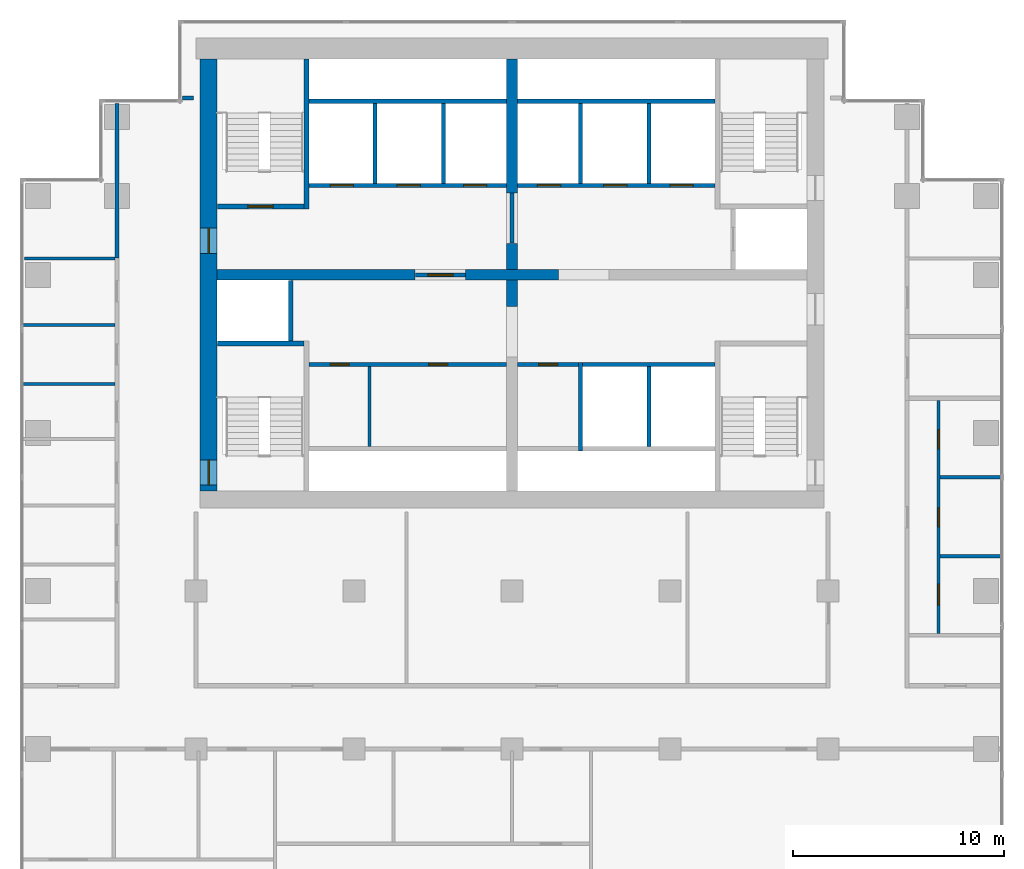
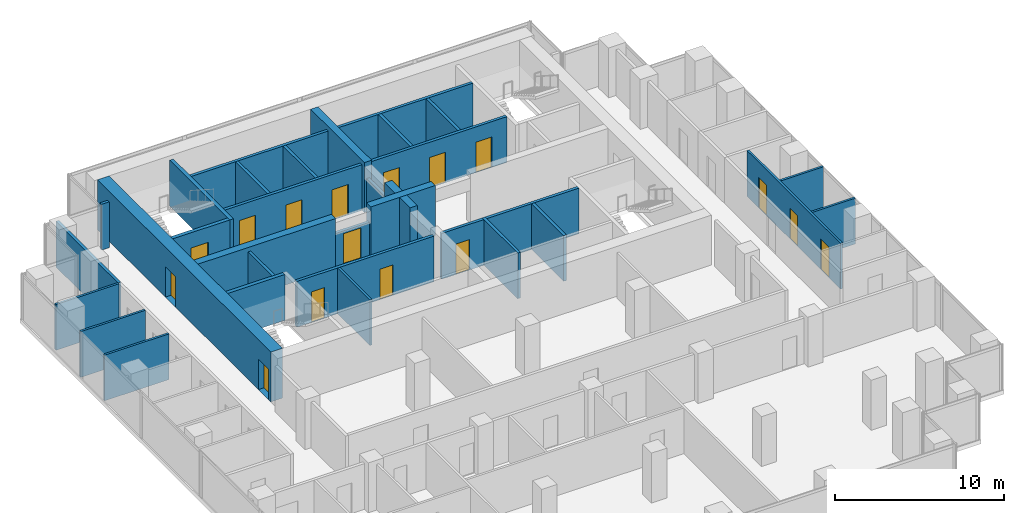
# One storey, part 8 of 10: 34 walls, 16 doors, 16 openings.
"""IFC4 building model written with IfcOpenShell, lengths in metres."""

from ifc_helpers import new_model, si_unit, direction, frame, frame_2d, origin, place, context, subcontext, project, spatial, rectangle, extrude, material, layer, layer_set, type_object, element, fill, save


model = new_model("IFC4")

# Units and contexts
model_context = context("Model", 3, precision=1e-05, world=origin(), true_north=direction((0.0, 1.0)))
body_context = subcontext(model_context, "Body", "Model", "MODEL_VIEW")
ifc_project = project(units=[si_unit("LENGTHUNIT", "METRE"), si_unit("AREAUNIT", "SQUARE_METRE"), si_unit("VOLUMEUNIT", "CUBIC_METRE"), si_unit("PLANEANGLEUNIT", "RADIAN"), si_unit("MASSUNIT", "GRAM", prefix="KILO")], contexts=[model_context])

# Site, building, storey
site_placement = place(None, origin())
site = spatial("IfcSite", under=ifc_project, at=site_placement, CompositionType="ELEMENT")
building_placement = place(site_placement, origin())
building = spatial("IfcBuilding", under=site, at=building_placement, Name="Pilkhan Gate Tower", CompositionType="ELEMENT")
storey_placement = place(building_placement, frame((0.0, 0.0, 147.699951171875)))
storey = spatial("IfcBuildingStorey", under=building, at=storey_placement, Name="L37", CompositionType="ELEMENT", Elevation=147.699951171875)

# Wall, openings, doors
ifc_material_1 = material(Name="Concrete C60/75", Category="concrete")
ifc_layer_1 = layer(ifc_material_1, 0.800048828125)
ifc_layer_set_1 = layer_set([ifc_layer_1], Name="Core wall CW800 C60/75")
wall_type_1 = type_object("IfcWallType", Name="Core wall CW800 C60/75", PredefinedType="SHEAR", material=ifc_layer_set_1)
wall_1_placement = place(storey_placement, frame((60.60009765625, 92.75, 0.0), z_axis=(0.0, 0.0, 1.0), x_axis=(0.0, -1.0, 0.0)))
wall_1 = element("IfcWall", 1, at=wall_1_placement, inside=storey, type_object=wall_type_1, Name="Core wall W L37", PredefinedType="SHEAR", context=body_context, shape_type="SweptSolid", body=[
    extrude(rectangle(XDim=20.5, YDim=0.800048828125, at=frame_2d((10.25, 0.0))), origin(), (0.0, 0.0, 1.0), 3.60009765625),
])
opening_1_placement = place(wall_1_placement, frame((19.02490234375, 0.0, 0.0)))
opening_1 = element("IfcOpeningElement", 2, at=opening_1_placement, cuts=wall_1, Name="Opening L37-04", PredefinedType="OPENING", context=body_context, shape_type="SweptSolid", body=[
    extrude(rectangle(XDim=1.199951171875, YDim=2.199951171875, at=frame_2d((0.60009765625, 1.10009765625))), frame((0.0, 0.409912109375, 0.0), z_axis=(0.0, -1.0, 0.0), x_axis=(1.0, 0.0, 0.0)), (0.0, 0.0, 1.0), 0.820068359375),
])
opening_2_placement = place(wall_1_placement, frame((8.02490234375, 0.0, 0.0)))
opening_2 = element("IfcOpeningElement", 3, at=opening_2_placement, cuts=wall_1, Name="Opening L37-13", PredefinedType="OPENING", context=body_context, shape_type="SweptSolid", body=[
    extrude(rectangle(XDim=1.199951171875, YDim=2.199951171875, at=frame_2d((0.60009765625, 1.10009765625))), frame((0.0, 0.409912109375, 0.0), z_axis=(0.0, -1.0, 0.0), x_axis=(1.0, 0.0, 0.0)), (0.0, 0.0, 1.0), 0.820068359375),
])
ifc_material_2 = material(Name="Steel door, 120 minute fire resisting, self-closing", Category="steel")
door_type_1 = type_object("IfcDoorType", Name="Firefighting lobby door D10 1200x2200", OperationType="SINGLE_SWING_LEFT", PredefinedType="DOOR", material=ifc_material_2)
door_1_placement = place(opening_2_placement, origin())
door_1 = element("IfcDoor", 4, at=door_1_placement, inside=storey, type_object=door_type_1, Name="Core door", OperationType="SINGLE_SWING_RIGHT", OverallHeight=2.199951171875, OverallWidth=1.199951171875, PredefinedType="DOOR", context=body_context, shape_type="SweptSolid", body=[
    extrude(rectangle(XDim=1.199951171875, YDim=2.199951171875, at=frame_2d((0.60009765625, 1.10009765625))), frame((0.0, 0.02490234375, 0.0), z_axis=(0.0, -1.0, 0.0), x_axis=(1.0, 0.0, 0.0)), (0.0, 0.0, 1.0), 0.050048828125),
])
fill(opening_2, door_1)
ifc_material_3 = material(Name="Steel door, 120 minute fire resisting, panic bar", Category="steel")
door_type_2 = type_object("IfcDoorType", Name="Stair door D11 1200x2200", OperationType="SINGLE_SWING_LEFT", PredefinedType="DOOR", material=ifc_material_3)
door_2_placement = place(opening_1_placement, origin())
door_2 = element("IfcDoor", 5, at=door_2_placement, inside=storey, type_object=door_type_2, Name="Stair ST2 door", OperationType="SINGLE_SWING_RIGHT", OverallHeight=2.199951171875, OverallWidth=1.199951171875, PredefinedType="DOOR", context=body_context, shape_type="SweptSolid", body=[
    extrude(rectangle(XDim=1.199951171875, YDim=2.199951171875, at=frame_2d((0.60009765625, 1.10009765625))), frame((0.0, 0.02490234375, 0.0), z_axis=(0.0, -1.0, 0.0), x_axis=(1.0, 0.0, 0.0)), (0.0, 0.0, 1.0), 0.050048828125),
])
fill(opening_1, door_2)

# Walls
ifc_material_4 = material(Name="Dense blockwork", Category="masonry")
ifc_layer_2 = layer(ifc_material_4, 0.199951171875)
ifc_layer_set_2 = layer_set([ifc_layer_2], Name="Corridor wall FW200")
wall_type_2 = type_object("IfcWallType", Name="Corridor wall FW200", PredefinedType="PARTITIONING", material=ifc_layer_set_2)
wall_2_placement = place(storey_placement, frame((59.35498046875, 90.89990234375, 0.0), z_axis=(0.0, 0.0, 1.0), x_axis=(1.0, 0.0, 0.0)))
element("IfcWall", 6, at=wall_2_placement, inside=storey, type_object=wall_type_2, Name="Partition L37", PredefinedType="PARTITIONING", context=body_context, shape_type="SweptSolid", body=[
    extrude(rectangle(XDim=0.52490234375, YDim=0.199951171875, at=frame_2d((0.262451171875, 0.0))), origin(), (0.0, 0.0, 1.0), 3.300048828125),
])
wall_3_placement = place(storey_placement, frame((56.25, 83.31005859375, 0.0), z_axis=(0.0, 0.0, 1.0), x_axis=(0.0, 1.0, 0.0)))
element("IfcWall", 7, at=wall_3_placement, inside=storey, type_object=wall_type_2, Name="Partition L37", PredefinedType="PARTITIONING", context=body_context, shape_type="SweptSolid", body=[
    extrude(rectangle(XDim=7.3349609375, YDim=0.199951171875, at=frame_2d((3.66748046875, 0.0))), origin(), (0.0, 0.0, 1.0), 3.300048828125),
])

# Wall, openings, doors
ifc_layer_3 = layer(ifc_material_4, 0.199951171875)
ifc_layer_set_3 = layer_set([ifc_layer_3], Name="Lobby wall LW200")
wall_type_3 = type_object("IfcWallType", Name="Lobby wall LW200", PredefinedType="PARTITIONING", material=ifc_layer_set_3)
wall_4_placement = place(storey_placement, frame((65.375, 78.25, 0.0), z_axis=(0.0, 0.0, 1.0), x_axis=(1.0, 0.0, 0.0)))
wall_4 = element("IfcWall", 8, at=wall_4_placement, inside=storey, type_object=wall_type_3, Name="Partition L37", PredefinedType="PARTITIONING", context=body_context, shape_type="SweptSolid", body=[
    extrude(rectangle(XDim=9.364990234375, YDim=0.199951171875, at=frame_2d((4.6826171875, 0.0))), origin(), (0.0, 0.0, 1.0), 3.300048828125),
])
opening_3_placement = place(wall_4_placement, frame((1.0, 0.0, 0.0)))
opening_3 = element("IfcOpeningElement", 9, at=opening_3_placement, cuts=wall_4, Name="Opening L37-14", PredefinedType="OPENING", context=body_context, shape_type="SweptSolid", body=[
    extrude(rectangle(XDim=0.89990234375, YDim=2.199951171875, at=frame_2d((0.449951171875, 1.10009765625))), frame((0.0, 0.10986328125, 0.0), z_axis=(0.0, -1.0, 0.0), x_axis=(1.0, 0.0, 0.0)), (0.0, 0.0, 1.0), 0.219970703125),
])
opening_4_placement = place(wall_4_placement, frame((5.6650390625, 0.0, 0.0)))
opening_4 = element("IfcOpeningElement", 10, at=opening_4_placement, cuts=wall_4, Name="Opening L37-15", PredefinedType="OPENING", context=body_context, shape_type="SweptSolid", body=[
    extrude(rectangle(XDim=0.89990234375, YDim=2.199951171875, at=frame_2d((0.449951171875, 1.10009765625))), frame((0.0, 0.10986328125, 0.0), z_axis=(0.0, -1.0, 0.0), x_axis=(1.0, 0.0, 0.0)), (0.0, 0.0, 1.0), 0.219970703125),
])
ifc_material_5 = material(Name="Timber flush door, 60 minute fire resisting, self-closing", Category="wood")
door_type_3 = type_object("IfcDoorType", Name="Store door D05 900x2200", OperationType="SINGLE_SWING_LEFT", PredefinedType="DOOR", material=ifc_material_5)
door_3_placement = place(opening_3_placement, origin())
door_3 = element("IfcDoor", 11, at=door_3_placement, inside=storey, type_object=door_type_3, Name="Store door", OperationType="SINGLE_SWING_LEFT", OverallHeight=2.199951171875, OverallWidth=0.89990234375, PredefinedType="DOOR", context=body_context, shape_type="SweptSolid", body=[
    extrude(rectangle(XDim=0.89990234375, YDim=2.199951171875, at=frame_2d((0.449951171875, 1.10009765625))), frame((0.0, 0.02490234375, 0.0), z_axis=(0.0, -1.0, 0.0), x_axis=(1.0, 0.0, 0.0)), (0.0, 0.0, 1.0), 0.050048828125),
])
fill(opening_3, door_3)
door_4_placement = place(opening_4_placement, origin())
door_4 = element("IfcDoor", 12, at=door_4_placement, inside=storey, type_object=door_type_3, Name="Store door", OperationType="SINGLE_SWING_LEFT", OverallHeight=2.199951171875, OverallWidth=0.89990234375, PredefinedType="DOOR", context=body_context, shape_type="SweptSolid", body=[
    extrude(rectangle(XDim=0.89990234375, YDim=2.199951171875, at=frame_2d((0.449951171875, 1.10009765625))), frame((0.0, 0.02490234375, 0.0), z_axis=(0.0, -1.0, 0.0), x_axis=(1.0, 0.0, 0.0)), (0.0, 0.0, 1.0), 0.050048828125),
])
fill(opening_4, door_4)

# Wall, opening, door
wall_5_placement = place(storey_placement, frame((75.260009765625, 78.25, 0.0), z_axis=(0.0, 0.0, 1.0), x_axis=(1.0, 0.0, 0.0)))
wall_5 = element("IfcWall", 13, at=wall_5_placement, inside=storey, type_object=wall_type_3, Name="Partition L37", PredefinedType="PARTITIONING", context=body_context, shape_type="SweptSolid", body=[
    extrude(rectangle(XDim=2.889892578125, YDim=0.199951171875, at=frame_2d((1.44482421875, 0.0))), origin(), (0.0, 0.0, 1.0), 3.300048828125),
])
opening_5_placement = place(wall_5_placement, frame((1.0, 0.0, 0.0)))
opening_5 = element("IfcOpeningElement", 14, at=opening_5_placement, cuts=wall_5, Name="Opening L37-16", PredefinedType="OPENING", context=body_context, shape_type="SweptSolid", body=[
    extrude(rectangle(XDim=0.89990234375, YDim=2.199951171875, at=frame_2d((0.449951171875, 1.10009765625))), frame((0.0, 0.10986328125, 0.0), z_axis=(0.0, -1.0, 0.0), x_axis=(1.0, 0.0, 0.0)), (0.0, 0.0, 1.0), 0.219970703125),
])
door_5_placement = place(opening_5_placement, origin())
door_5 = element("IfcDoor", 15, at=door_5_placement, inside=storey, type_object=door_type_3, Name="Store door", OperationType="SINGLE_SWING_RIGHT", OverallHeight=2.199951171875, OverallWidth=0.89990234375, PredefinedType="DOOR", context=body_context, shape_type="SweptSolid", body=[
    extrude(rectangle(XDim=0.89990234375, YDim=2.199951171875, at=frame_2d((0.449951171875, 1.10009765625))), frame((0.0, 0.02490234375, 0.0), z_axis=(0.0, -1.0, 0.0), x_axis=(1.0, 0.0, 0.0)), (0.0, 0.0, 1.0), 0.050048828125),
])
fill(opening_5, door_5)

wall_6_placement = place(storey_placement, frame((70.409912109375, 82.5, 0.0), z_axis=(0.0, 0.0, 1.0), x_axis=(1.0, 0.0, 0.0)))
wall_6 = element("IfcWall", 16, at=wall_6_placement, inside=storey, type_object=wall_type_3, Name="Partition L37", PredefinedType="PARTITIONING", context=body_context, shape_type="SweptSolid", body=[
    extrude(rectangle(XDim=2.380126953125, YDim=0.199951171875, at=frame_2d((1.18994140625, 0.0))), origin(), (0.0, 0.0, 1.0), 2.400146484375),
])
opening_6_placement = place(wall_6_placement, frame((0.60009765625, 0.0, 0.0)))
opening_6 = element("IfcOpeningElement", 17, at=opening_6_placement, cuts=wall_6, Name="Opening L37-01", PredefinedType="OPENING", context=body_context, shape_type="SweptSolid", body=[
    extrude(rectangle(XDim=1.199951171875, YDim=2.199951171875, at=frame_2d((0.60009765625, 1.10009765625))), frame((0.0, 0.10986328125, 0.0), z_axis=(0.0, -1.0, 0.0), x_axis=(1.0, 0.0, 0.0)), (0.0, 0.0, 1.0), 0.219970703125),
])
door_6_placement = place(opening_6_placement, origin())
door_6 = element("IfcDoor", 18, at=door_6_placement, inside=storey, type_object=door_type_1, Name="Firefighting lobby door", OperationType="SINGLE_SWING_LEFT", OverallHeight=2.199951171875, OverallWidth=1.199951171875, PredefinedType="DOOR", context=body_context, shape_type="SweptSolid", body=[
    extrude(rectangle(XDim=1.199951171875, YDim=2.199951171875, at=frame_2d((0.60009765625, 1.10009765625))), frame((0.0, 0.02490234375, 0.0), z_axis=(0.0, -1.0, 0.0), x_axis=(1.0, 0.0, 0.0)), (0.0, 0.0, 1.0), 0.050048828125),
])
fill(opening_6, door_6)

# Walls
wall_7_placement = place(storey_placement, frame((75.0, 84.010009765625, 0.0), z_axis=(0.0, 0.0, 1.0), x_axis=(0.0, 1.0, 0.0)))
element("IfcWall", 19, at=wall_7_placement, inside=storey, type_object=wall_type_3, Name="Partition L37", PredefinedType="PARTITIONING", context=body_context, shape_type="SweptSolid", body=[
    extrude(rectangle(XDim=2.3798828125, YDim=0.199951171875, at=frame_2d((1.18994140625, 0.0))), origin(), (0.0, 0.0, 1.0), 2.400146484375),
])
ifc_material_6 = material(Name="Blockwork partition, plastered both sides", Category="masonry")
ifc_layer_4 = layer(ifc_material_6, 0.14990234375)
ifc_layer_set_4 = layer_set([ifc_layer_4], Name="Partition PW150")
wall_type_4 = type_object("IfcWallType", Name="Partition PW150", PredefinedType="PARTITIONING", material=ifc_layer_set_4)
for number, where, z_axis, x_axis, name in (
    (20, (95.324951171875, 69.14990234375, 0.0), (0.0, 0.0, 1.0), (1.0, 0.0, 0.0), "Partition L37"),
    (21, (95.324951171875, 72.89990234375, 0.0), (0.0, 0.0, 1.0), (1.0, 0.0, 0.0), "Partition L37"),
):
    element("IfcWall", number, at=place(storey_placement, frame(where, z_axis=z_axis, x_axis=x_axis)), inside=storey, type_object=wall_type_4, Name=name, PredefinedType="PARTITIONING", context=body_context, shape_type="SweptSolid", body=[
        extrude(rectangle(XDim=2.93994140625, YDim=0.14990234375, at=frame_2d((1.469970703125, 0.0))), origin(), (0.0, 0.0, 1.0), 3.300048828125),
    ])
for number, where, z_axis, x_axis, name in (
    (22, (51.735107421875, 77.3291015625, 0.0), (0.0, 0.0, 1.0), (1.0, 0.0, 0.0), "Partition L37"),
    (23, (51.735107421875, 80.12890625, 0.0), (0.0, 0.0, 1.0), (1.0, 0.0, 0.0), "Partition L37"),
):
    element("IfcWall", number, at=place(storey_placement, frame(where, z_axis=z_axis, x_axis=x_axis)), inside=storey, type_object=wall_type_4, Name=name, PredefinedType="PARTITIONING", context=body_context, shape_type="SweptSolid", body=[
        extrude(rectangle(XDim=4.414794921875, YDim=0.14990234375, at=frame_2d((2.20751953125, 0.0))), origin(), (0.0, 0.0, 1.0), 3.300048828125),
    ])
wall_8_placement = place(storey_placement, frame((51.85498046875, 83.280029296875, 0.0), z_axis=(0.0, 0.0, 1.0), x_axis=(1.0, 0.0, 0.0)))
element("IfcWall", 24, at=wall_8_placement, inside=storey, type_object=wall_type_4, Name="Partition L37", PredefinedType="PARTITIONING", context=body_context, shape_type="SweptSolid", body=[
    extrude(rectangle(XDim=4.294921875, YDim=0.14990234375, at=frame_2d((2.1474609375, 0.0))), origin(), (0.0, 0.0, 1.0), 3.300048828125),
])
wall_9_placement = place(storey_placement, frame((68.239990234375, 74.35009765625, 0.0), z_axis=(0.0, 0.0, 1.0), x_axis=(0.0, 1.0, 0.0)))
element("IfcWall", 25, at=wall_9_placement, inside=storey, type_object=wall_type_4, Name="Partition L37", PredefinedType="PARTITIONING", context=body_context, shape_type="SweptSolid", body=[
    extrude(rectangle(XDim=3.7998046875, YDim=0.14990234375, at=frame_2d((1.89990234375, 0.0))), origin(), (0.0, 0.0, 1.0), 3.300048828125),
])

# Wall, openings, doors
wall_10_placement = place(storey_placement, frame((95.25, 65.47509765625, 0.0), z_axis=(0.0, 0.0, 1.0), x_axis=(0.0, 1.0, 0.0)))
wall_10 = element("IfcWall", 26, at=wall_10_placement, inside=storey, type_object=wall_type_4, Name="Partition L37", PredefinedType="PARTITIONING", context=body_context, shape_type="SweptSolid", body=[
    extrude(rectangle(XDim=11.074951171875, YDim=0.14990234375, at=frame_2d((5.53759765625, 0.0))), origin(), (0.0, 0.0, 1.0), 3.300048828125),
])
opening_7_placement = place(wall_10_placement, frame((1.35009765625, 0.0, 0.0)))
opening_7 = element("IfcOpeningElement", 27, at=opening_7_placement, cuts=wall_10, Name="Opening L37-29", PredefinedType="OPENING", context=body_context, shape_type="SweptSolid", body=[
    extrude(rectangle(XDim=1.0, YDim=2.199951171875, at=frame_2d((0.5, 1.10009765625))), frame((0.0, 0.0849609375, 0.0), z_axis=(0.0, -1.0, 0.0), x_axis=(1.0, 0.0, 0.0)), (0.0, 0.0, 1.0), 0.169921875),
])
opening_8_placement = place(wall_10_placement, frame((5.074951171875, 0.0, 0.0)))
opening_8 = element("IfcOpeningElement", 28, at=opening_8_placement, cuts=wall_10, Name="Opening L37-30", PredefinedType="OPENING", context=body_context, shape_type="SweptSolid", body=[
    extrude(rectangle(XDim=0.89990234375, YDim=2.199951171875, at=frame_2d((0.449951171875, 1.10009765625))), frame((0.0, 0.0849609375, 0.0), z_axis=(0.0, -1.0, 0.0), x_axis=(1.0, 0.0, 0.0)), (0.0, 0.0, 1.0), 0.169921875),
])
opening_9_placement = place(wall_10_placement, frame((8.77490234375, 0.0, 0.0)))
opening_9 = element("IfcOpeningElement", 29, at=opening_9_placement, cuts=wall_10, Name="Opening L37-31", PredefinedType="OPENING", context=body_context, shape_type="SweptSolid", body=[
    extrude(rectangle(XDim=0.89990234375, YDim=2.199951171875, at=frame_2d((0.449951171875, 1.10009765625))), frame((0.0, 0.0849609375, 0.0), z_axis=(0.0, -1.0, 0.0), x_axis=(1.0, 0.0, 0.0)), (0.0, 0.0, 1.0), 0.169921875),
])
ifc_material_7 = material(Name="Timber flush door, outward opening, 30 minute fire resisting", Category="wood")
door_type_4 = type_object("IfcDoorType", Name="Accessible toilet door D07 1000x2200", OperationType="SINGLE_SWING_LEFT", PredefinedType="DOOR", material=ifc_material_7)
door_7_placement = place(opening_7_placement, origin())
door_7 = element("IfcDoor", 30, at=door_7_placement, inside=storey, type_object=door_type_4, Name="Accessible toilet door", OperationType="SINGLE_SWING_RIGHT", OverallHeight=2.199951171875, OverallWidth=1.0, PredefinedType="DOOR", context=body_context, shape_type="SweptSolid", body=[
    extrude(rectangle(XDim=1.0, YDim=2.199951171875, at=frame_2d((0.5, 1.10009765625))), frame((0.0, 0.02490234375, 0.0), z_axis=(0.0, -1.0, 0.0), x_axis=(1.0, 0.0, 0.0)), (0.0, 0.0, 1.0), 0.050048828125),
])
fill(opening_7, door_7)
ifc_material_8 = material(Name="Timber flush door, 30 minute fire resisting", Category="wood")
door_type_5 = type_object("IfcDoorType", Name="Toilet door D06 900x2200", OperationType="SINGLE_SWING_LEFT", PredefinedType="DOOR", material=ifc_material_8)
door_8_placement = place(opening_8_placement, origin())
door_8 = element("IfcDoor", 31, at=door_8_placement, inside=storey, type_object=door_type_5, Name="Toilet door", OperationType="SINGLE_SWING_RIGHT", OverallHeight=2.199951171875, OverallWidth=0.89990234375, PredefinedType="DOOR", context=body_context, shape_type="SweptSolid", body=[
    extrude(rectangle(XDim=0.89990234375, YDim=2.199951171875, at=frame_2d((0.449951171875, 1.10009765625))), frame((0.0, 0.02490234375, 0.0), z_axis=(0.0, -1.0, 0.0), x_axis=(1.0, 0.0, 0.0)), (0.0, 0.0, 1.0), 0.050048828125),
])
fill(opening_8, door_8)
door_9_placement = place(opening_9_placement, origin())
door_9 = element("IfcDoor", 32, at=door_9_placement, inside=storey, type_object=door_type_5, Name="Toilet door", OperationType="SINGLE_SWING_LEFT", OverallHeight=2.199951171875, OverallWidth=0.89990234375, PredefinedType="DOOR", context=body_context, shape_type="SweptSolid", body=[
    extrude(rectangle(XDim=0.89990234375, YDim=2.199951171875, at=frame_2d((0.449951171875, 1.10009765625))), frame((0.0, 0.02490234375, 0.0), z_axis=(0.0, -1.0, 0.0), x_axis=(1.0, 0.0, 0.0)), (0.0, 0.0, 1.0), 0.050048828125),
])
fill(opening_9, door_9)

# Wall
ifc_material_9 = material(Name="Reinforced blockwork shaft wall, 120 minute fire resisting", Category="masonry")
ifc_layer_5 = layer(ifc_material_9, 0.199951171875)
ifc_layer_set_5 = layer_set([ifc_layer_5], Name="Shaft wall SW200")
wall_type_5 = type_object("IfcWallType", Name="Shaft wall SW200", PredefinedType="PARTITIONING", material=ifc_layer_set_5)
wall_11_placement = place(storey_placement, frame((78.35009765625, 78.25, 0.0), z_axis=(0.0, 0.0, 1.0), x_axis=(1.0, 0.0, 0.0)))
element("IfcWall", 33, at=wall_11_placement, inside=storey, type_object=wall_type_5, Name="Partition L37", PredefinedType="PARTITIONING", context=body_context, shape_type="SweptSolid", body=[
    extrude(rectangle(XDim=6.27490234375, YDim=0.199951171875, at=frame_2d((3.137451171875, 0.0))), origin(), (0.0, 0.0, 1.0), 3.300048828125),
])

# Wall, openings, doors
wall_12_placement = place(storey_placement, frame((65.375, 86.75, 0.0), z_axis=(0.0, 0.0, 1.0), x_axis=(1.0, 0.0, 0.0)))
wall_12 = element("IfcWall", 34, at=wall_12_placement, inside=storey, type_object=wall_type_5, Name="Partition L37", PredefinedType="PARTITIONING", context=body_context, shape_type="SweptSolid", body=[
    extrude(rectangle(XDim=9.364990234375, YDim=0.199951171875, at=frame_2d((4.6826171875, 0.0))), origin(), (0.0, 0.0, 1.0), 3.300048828125),
])
opening_10_placement = place(wall_12_placement, frame((1.0, 0.0, 0.0)))
opening_10 = element("IfcOpeningElement", 35, at=opening_10_placement, cuts=wall_12, Name="Opening LD", PredefinedType="OPENING", context=body_context, shape_type="SweptSolid", body=[
    extrude(rectangle(XDim=1.10009765625, YDim=2.199951171875, at=frame_2d((0.550048828125, 1.10009765625))), frame((0.0, 0.10986328125, 0.0), z_axis=(0.0, -1.0, 0.0), x_axis=(1.0, 0.0, 0.0)), (0.0, 0.0, 1.0), 0.219970703125),
])
opening_11_placement = place(wall_12_placement, frame((4.175048828125, 0.0, 0.0)))
opening_11 = element("IfcOpeningElement", 36, at=opening_11_placement, cuts=wall_12, Name="Opening LD", PredefinedType="OPENING", context=body_context, shape_type="SweptSolid", body=[
    extrude(rectangle(XDim=1.10009765625, YDim=2.199951171875, at=frame_2d((0.550048828125, 1.10009765625))), frame((0.0, 0.10986328125, 0.0), z_axis=(0.0, -1.0, 0.0), x_axis=(1.0, 0.0, 0.0)), (0.0, 0.0, 1.0), 0.219970703125),
])
opening_12_placement = place(wall_12_placement, frame((7.324951171875, 0.0, 0.0)))
opening_12 = element("IfcOpeningElement", 37, at=opening_12_placement, cuts=wall_12, Name="Opening LD", PredefinedType="OPENING", context=body_context, shape_type="SweptSolid", body=[
    extrude(rectangle(XDim=1.10009765625, YDim=2.199951171875, at=frame_2d((0.550048828125, 1.10009765625))), frame((0.0, 0.10986328125, 0.0), z_axis=(0.0, -1.0, 0.0), x_axis=(1.0, 0.0, 0.0)), (0.0, 0.0, 1.0), 0.219970703125),
])
ifc_material_10 = material(Name="Stainless steel centre-opening landing door, 120 minute fire resisting", Category="steel")
door_type_6 = type_object("IfcDoorType", Name="Lift landing door LD 1100x2200", OperationType="DOUBLE_DOOR_SLIDING", PredefinedType="DOOR", material=ifc_material_10)
door_10_placement = place(opening_10_placement, origin())
door_10 = element("IfcDoor", 38, at=door_10_placement, inside=storey, type_object=door_type_6, Name="Landing door FF1", OperationType="DOUBLE_DOOR_SLIDING", OverallHeight=2.199951171875, OverallWidth=1.10009765625, PredefinedType="DOOR", context=body_context, shape_type="SweptSolid", body=[
    extrude(rectangle(XDim=1.10009765625, YDim=2.199951171875, at=frame_2d((0.550048828125, 1.10009765625))), frame((0.0, 0.02490234375, 0.0), z_axis=(0.0, -1.0, 0.0), x_axis=(1.0, 0.0, 0.0)), (0.0, 0.0, 1.0), 0.050048828125),
])
fill(opening_10, door_10)
door_11_placement = place(opening_11_placement, origin())
door_11 = element("IfcDoor", 39, at=door_11_placement, inside=storey, type_object=door_type_6, Name="Landing door FF2", OperationType="DOUBLE_DOOR_SLIDING", OverallHeight=2.199951171875, OverallWidth=1.10009765625, PredefinedType="DOOR", context=body_context, shape_type="SweptSolid", body=[
    extrude(rectangle(XDim=1.10009765625, YDim=2.199951171875, at=frame_2d((0.550048828125, 1.10009765625))), frame((0.0, 0.02490234375, 0.0), z_axis=(0.0, -1.0, 0.0), x_axis=(1.0, 0.0, 0.0)), (0.0, 0.0, 1.0), 0.050048828125),
])
fill(opening_11, door_11)
door_12_placement = place(opening_12_placement, origin())
door_12 = element("IfcDoor", 40, at=door_12_placement, inside=storey, type_object=door_type_6, Name="Landing door SV1", OperationType="DOUBLE_DOOR_SLIDING", OverallHeight=2.199951171875, OverallWidth=1.10009765625, PredefinedType="DOOR", context=body_context, shape_type="SweptSolid", body=[
    extrude(rectangle(XDim=1.10009765625, YDim=2.199951171875, at=frame_2d((0.550048828125, 1.10009765625))), frame((0.0, 0.02490234375, 0.0), z_axis=(0.0, -1.0, 0.0), x_axis=(1.0, 0.0, 0.0)), (0.0, 0.0, 1.0), 0.050048828125),
])
fill(opening_12, door_12)

wall_13_placement = place(storey_placement, frame((75.260009765625, 86.75, 0.0), z_axis=(0.0, 0.0, 1.0), x_axis=(1.0, 0.0, 0.0)))
wall_13 = element("IfcWall", 41, at=wall_13_placement, inside=storey, type_object=wall_type_5, Name="Partition L37", PredefinedType="PARTITIONING", context=body_context, shape_type="SweptSolid", body=[
    extrude(rectangle(XDim=9.364990234375, YDim=0.199951171875, at=frame_2d((4.6826171875, 0.0))), origin(), (0.0, 0.0, 1.0), 3.300048828125),
])
opening_13_placement = place(wall_13_placement, frame((0.949951171875, 0.0, 0.0)))
opening_13 = element("IfcOpeningElement", 42, at=opening_13_placement, cuts=wall_13, Name="Opening LD", PredefinedType="OPENING", context=body_context, shape_type="SweptSolid", body=[
    extrude(rectangle(XDim=1.10009765625, YDim=2.199951171875, at=frame_2d((0.550048828125, 1.10009765625))), frame((0.0, 0.10986328125, 0.0), z_axis=(0.0, -1.0, 0.0), x_axis=(1.0, 0.0, 0.0)), (0.0, 0.0, 1.0), 0.219970703125),
])
opening_14_placement = place(wall_13_placement, frame((4.090087890625, 0.0, 0.0)))
opening_14 = element("IfcOpeningElement", 43, at=opening_14_placement, cuts=wall_13, Name="Opening LD", PredefinedType="OPENING", context=body_context, shape_type="SweptSolid", body=[
    extrude(rectangle(XDim=1.10009765625, YDim=2.199951171875, at=frame_2d((0.550048828125, 1.10009765625))), frame((0.0, 0.10986328125, 0.0), z_axis=(0.0, -1.0, 0.0), x_axis=(1.0, 0.0, 0.0)), (0.0, 0.0, 1.0), 0.219970703125),
])
opening_15_placement = place(wall_13_placement, frame((7.239990234375, 0.0, 0.0)))
opening_15 = element("IfcOpeningElement", 44, at=opening_15_placement, cuts=wall_13, Name="Opening LD", PredefinedType="OPENING", context=body_context, shape_type="SweptSolid", body=[
    extrude(rectangle(XDim=1.10009765625, YDim=2.199951171875, at=frame_2d((0.550048828125, 1.10009765625))), frame((0.0, 0.10986328125, 0.0), z_axis=(0.0, -1.0, 0.0), x_axis=(1.0, 0.0, 0.0)), (0.0, 0.0, 1.0), 0.219970703125),
])
door_13_placement = place(opening_13_placement, origin())
door_13 = element("IfcDoor", 45, at=door_13_placement, inside=storey, type_object=door_type_6, Name="Landing door HR1", OperationType="DOUBLE_DOOR_SLIDING", OverallHeight=2.199951171875, OverallWidth=1.10009765625, PredefinedType="DOOR", context=body_context, shape_type="SweptSolid", body=[
    extrude(rectangle(XDim=1.10009765625, YDim=2.199951171875, at=frame_2d((0.550048828125, 1.10009765625))), frame((0.0, 0.02490234375, 0.0), z_axis=(0.0, -1.0, 0.0), x_axis=(1.0, 0.0, 0.0)), (0.0, 0.0, 1.0), 0.050048828125),
])
fill(opening_13, door_13)
door_14_placement = place(opening_14_placement, origin())
door_14 = element("IfcDoor", 46, at=door_14_placement, inside=storey, type_object=door_type_6, Name="Landing door HR2", OperationType="DOUBLE_DOOR_SLIDING", OverallHeight=2.199951171875, OverallWidth=1.10009765625, PredefinedType="DOOR", context=body_context, shape_type="SweptSolid", body=[
    extrude(rectangle(XDim=1.10009765625, YDim=2.199951171875, at=frame_2d((0.550048828125, 1.10009765625))), frame((0.0, 0.02490234375, 0.0), z_axis=(0.0, -1.0, 0.0), x_axis=(1.0, 0.0, 0.0)), (0.0, 0.0, 1.0), 0.050048828125),
])
fill(opening_14, door_14)
door_15_placement = place(opening_15_placement, origin())
door_15 = element("IfcDoor", 47, at=door_15_placement, inside=storey, type_object=door_type_6, Name="Landing door HR3", OperationType="DOUBLE_DOOR_SLIDING", OverallHeight=2.199951171875, OverallWidth=1.10009765625, PredefinedType="DOOR", context=body_context, shape_type="SweptSolid", body=[
    extrude(rectangle(XDim=1.10009765625, YDim=2.199951171875, at=frame_2d((0.550048828125, 1.10009765625))), frame((0.0, 0.02490234375, 0.0), z_axis=(0.0, -1.0, 0.0), x_axis=(1.0, 0.0, 0.0)), (0.0, 0.0, 1.0), 0.050048828125),
])
fill(opening_15, door_15)

# Walls
for number, where, z_axis, x_axis, name in (
    (48, (65.375, 90.75, 0.0), (0.0, 0.0, 1.0), (1.0, 0.0, 0.0), "Partition L37"),
    (49, (75.260009765625, 90.75, 0.0), (0.0, 0.0, 1.0), (1.0, 0.0, 0.0), "Partition L37"),
):
    element("IfcWall", number, at=place(storey_placement, frame(where, z_axis=z_axis, x_axis=x_axis)), inside=storey, type_object=wall_type_5, Name=name, PredefinedType="PARTITIONING", context=body_context, shape_type="SweptSolid", body=[
        extrude(rectangle(XDim=9.364990234375, YDim=0.199951171875, at=frame_2d((4.6826171875, 0.0))), origin(), (0.0, 0.0, 1.0), 3.300048828125),
    ])
wall_14_placement = place(storey_placement, frame((64.5, 79.375, 0.0), z_axis=(0.0, 0.0, 1.0), x_axis=(0.0, 1.0, 0.0)))
element("IfcWall", 50, at=wall_14_placement, inside=storey, type_object=wall_type_5, Name="Partition L37", PredefinedType="PARTITIONING", context=body_context, shape_type="SweptSolid", body=[
    extrude(rectangle(XDim=2.864990234375, YDim=0.199951171875, at=frame_2d((1.4326171875, 0.0))), origin(), (0.0, 0.0, 1.0), 3.300048828125),
])
for number, where, z_axis, x_axis, name in (
    (51, (68.5, 86.85009765625, 0.0), (0.0, 0.0, 1.0), (0.0, 1.0, 0.0), "Partition L37"),
    (52, (71.75, 86.85009765625, 0.0), (0.0, 0.0, 1.0), (0.0, 1.0, 0.0), "Partition L37"),
):
    element("IfcWall", number, at=place(storey_placement, frame(where, z_axis=z_axis, x_axis=x_axis)), inside=storey, type_object=wall_type_5, Name=name, PredefinedType="PARTITIONING", context=body_context, shape_type="SweptSolid", body=[
        extrude(rectangle(XDim=3.7998046875, YDim=0.199951171875, at=frame_2d((1.89990234375, 0.0))), origin(), (0.0, 0.0, 1.0), 3.300048828125),
    ])
wall_15_placement = place(storey_placement, frame((78.25, 74.14990234375, 0.0), z_axis=(0.0, 0.0, 1.0), x_axis=(0.0, 1.0, 0.0)))
element("IfcWall", 53, at=wall_15_placement, inside=storey, type_object=wall_type_5, Name="Partition L37", PredefinedType="PARTITIONING", context=body_context, shape_type="SweptSolid", body=[
    extrude(rectangle(XDim=4.2001953125, YDim=0.199951171875, at=frame_2d((2.10009765625, 0.0))), origin(), (0.0, 0.0, 1.0), 3.300048828125),
])
for number, where, z_axis, x_axis, name in (
    (54, (78.25, 86.85009765625, 0.0), (0.0, 0.0, 1.0), (0.0, 1.0, 0.0), "Partition L37"),
    (55, (81.5, 74.35009765625, 0.0), (0.0, 0.0, 1.0), (0.0, 1.0, 0.0), "Partition L37"),
    (56, (81.5, 86.85009765625, 0.0), (0.0, 0.0, 1.0), (0.0, 1.0, 0.0), "Partition L37"),
):
    element("IfcWall", number, at=place(storey_placement, frame(where, z_axis=z_axis, x_axis=x_axis)), inside=storey, type_object=wall_type_5, Name=name, PredefinedType="PARTITIONING", context=body_context, shape_type="SweptSolid", body=[
        extrude(rectangle(XDim=3.7998046875, YDim=0.199951171875, at=frame_2d((1.89990234375, 0.0))), origin(), (0.0, 0.0, 1.0), 3.300048828125),
    ])
ifc_layer_6 = layer(ifc_material_1, 0.5)
ifc_layer_set_6 = layer_set([ifc_layer_6], Name="Spine wall SW500 C60/75")
wall_type_6 = type_object("IfcWallType", Name="Spine wall SW500 C60/75", PredefinedType="SHEAR", material=ifc_layer_set_6)
wall_16_placement = place(storey_placement, frame((61.0, 82.5, 0.0), z_axis=(0.0, 0.0, 1.0), x_axis=(1.0, 0.0, 0.0)))
element("IfcWall", 57, at=wall_16_placement, inside=storey, type_object=wall_type_6, Name="Spine wall SP-EW1 L37", PredefinedType="SHEAR", context=body_context, shape_type="SweptSolid", body=[
    extrude(rectangle(XDim=9.39990234375, YDim=0.5, at=frame_2d((4.699951171875, 0.0))), origin(), (0.0, 0.0, 1.0), 3.60009765625),
])
wall_17_placement = place(storey_placement, frame((72.800048828125, 82.5, 0.0), z_axis=(0.0, 0.0, 1.0), x_axis=(1.0, 0.0, 0.0)))
element("IfcWall", 58, at=wall_17_placement, inside=storey, type_object=wall_type_6, Name="Spine wall SP-EW2 L37", PredefinedType="SHEAR", context=body_context, shape_type="SweptSolid", body=[
    extrude(rectangle(XDim=4.39990234375, YDim=0.5, at=frame_2d((2.199951171875, 0.0))), origin(), (0.0, 0.0, 1.0), 3.60009765625),
])
for number, where, z_axis, x_axis, name in (
    (59, (75.0, 81.0, 0.0), (0.0, 0.0, 1.0), (0.0, 1.0, 0.0), "Spine wall SP-NS-S2 L37"),
    (60, (75.0, 82.75, 0.0), (0.0, 0.0, 1.0), (0.0, 1.0, 0.0), "Spine wall SP-NS-N1 L37"),
):
    element("IfcWall", number, at=place(storey_placement, frame(where, z_axis=z_axis, x_axis=x_axis)), inside=storey, type_object=wall_type_6, Name=name, PredefinedType="SHEAR", context=body_context, shape_type="SweptSolid", body=[
        extrude(rectangle(XDim=1.25, YDim=0.5, at=frame_2d((0.625, 0.0))), origin(), (0.0, 0.0, 1.0), 3.60009765625),
    ])
wall_18_placement = place(storey_placement, frame((75.0, 86.39990234375, 0.0), z_axis=(0.0, 0.0, 1.0), x_axis=(0.0, 1.0, 0.0)))
element("IfcWall", 61, at=wall_18_placement, inside=storey, type_object=wall_type_6, Name="Spine wall SP-NS-N2 L37", PredefinedType="SHEAR", context=body_context, shape_type="SweptSolid", body=[
    extrude(rectangle(XDim=6.35009765625, YDim=0.5, at=frame_2d((3.175048828125, 0.0))), origin(), (0.0, 0.0, 1.0), 3.60009765625),
])
ifc_material_11 = material(Name="Reinforced blockwork, 120 minute fire resisting", Category="masonry")
ifc_layer_7 = layer(ifc_material_11, 0.25)
ifc_layer_set_7 = layer_set([ifc_layer_7], Name="Stair enclosure wall SE250")
wall_type_7 = type_object("IfcWallType", Name="Stair enclosure wall SE250", PredefinedType="PARTITIONING", material=ifc_layer_set_7)
wall_19_placement = place(storey_placement, frame((61.010009765625, 79.25, 0.0), z_axis=(0.0, 0.0, 1.0), x_axis=(1.0, 0.0, 0.0)))
element("IfcWall", 62, at=wall_19_placement, inside=storey, type_object=wall_type_7, Name="Partition L37", PredefinedType="PARTITIONING", context=body_context, shape_type="SweptSolid", body=[
    extrude(rectangle(XDim=4.114990234375, YDim=0.25, at=frame_2d((2.0576171875, 0.0))), origin(), (0.0, 0.0, 1.0), 3.300048828125),
])

# Wall, opening, door
wall_20_placement = place(storey_placement, frame((61.010009765625, 85.75, 0.0), z_axis=(0.0, 0.0, 1.0), x_axis=(1.0, 0.0, 0.0)))
wall_20 = element("IfcWall", 63, at=wall_20_placement, inside=storey, type_object=wall_type_7, Name="Partition L37", PredefinedType="PARTITIONING", context=body_context, shape_type="SweptSolid", body=[
    extrude(rectangle(XDim=4.114990234375, YDim=0.25, at=frame_2d((2.0576171875, 0.0))), origin(), (0.0, 0.0, 1.0), 3.300048828125),
])
opening_16_placement = place(wall_20_placement, frame((1.449951171875, 0.0, 0.0)))
opening_16 = element("IfcOpeningElement", 64, at=opening_16_placement, cuts=wall_20, Name="Opening L37-02", PredefinedType="OPENING", context=body_context, shape_type="SweptSolid", body=[
    extrude(rectangle(XDim=1.199951171875, YDim=2.199951171875, at=frame_2d((0.60009765625, 1.10009765625))), frame((0.0, 0.135009765625, 0.0), z_axis=(0.0, -1.0, 0.0), x_axis=(1.0, 0.0, 0.0)), (0.0, 0.0, 1.0), 0.27001953125),
])
door_16_placement = place(opening_16_placement, origin())
door_16 = element("IfcDoor", 65, at=door_16_placement, inside=storey, type_object=door_type_2, Name="Stair ST3 lobby door", OperationType="SINGLE_SWING_LEFT", OverallHeight=2.199951171875, OverallWidth=1.199951171875, PredefinedType="DOOR", context=body_context, shape_type="SweptSolid", body=[
    extrude(rectangle(XDim=1.199951171875, YDim=2.199951171875, at=frame_2d((0.60009765625, 1.10009765625))), frame((0.0, 0.02490234375, 0.0), z_axis=(0.0, -1.0, 0.0), x_axis=(1.0, 0.0, 0.0)), (0.0, 0.0, 1.0), 0.050048828125),
])
fill(opening_16, door_16)

# Wall
wall_21_placement = place(storey_placement, frame((65.25, 85.625, 0.0), z_axis=(0.0, 0.0, 1.0), x_axis=(0.0, 1.0, 0.0)))
element("IfcWall", 66, at=wall_21_placement, inside=storey, type_object=wall_type_7, Name="Partition L37", PredefinedType="PARTITIONING", context=body_context, shape_type="SweptSolid", body=[
    extrude(rectangle(XDim=7.114990234375, YDim=0.25, at=frame_2d((3.5576171875, 0.0))), origin(), (0.0, 0.0, 1.0), 3.300048828125),
])

save(model, "model.ifc")
